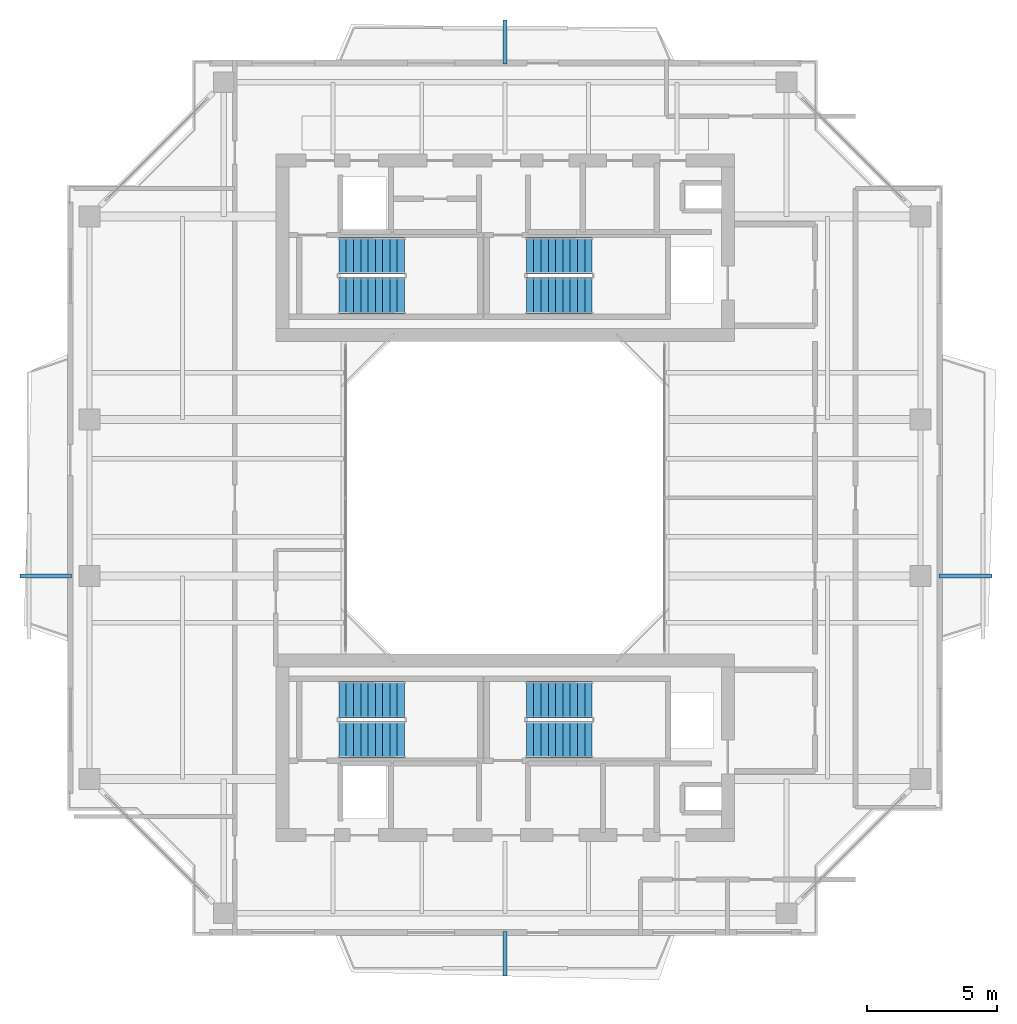
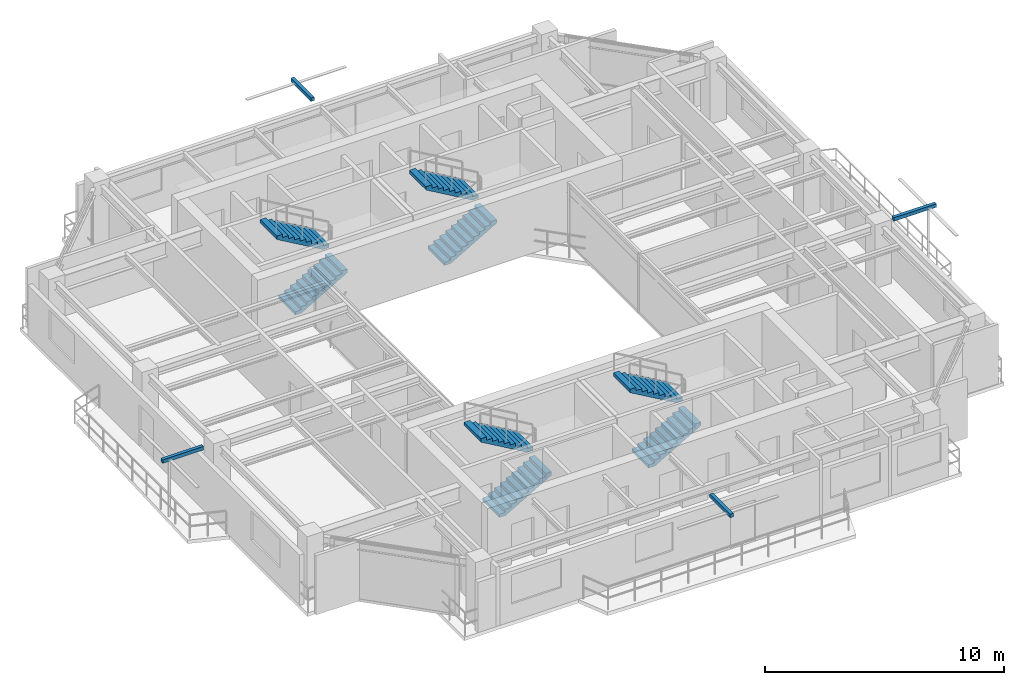
# One storey, part 13 of 16: 8 stair flights, 4 discrete accessories, 4 elements without a shape of their own.
"""IFC4 building model written with IfcOpenShell, lengths in metres."""

from ifc_helpers import new_model, si_unit, direction, frame, origin, origin_2d, place, context, subcontext, project, spatial, polyline, rectangle, outline, extrude, source, transform, mapped, material, type_object, element, aggregate, save


model = new_model("IFC4")

# Units and contexts
model_context = context("Model", 3, precision=1e-05, world=origin(), true_north=direction((0.0, 1.0)))
body_context = subcontext(model_context, "Body", "Model", "MODEL_VIEW")
ifc_project = project(units=[si_unit("LENGTHUNIT", "METRE"), si_unit("AREAUNIT", "SQUARE_METRE"), si_unit("VOLUMEUNIT", "CUBIC_METRE"), si_unit("PLANEANGLEUNIT", "RADIAN"), si_unit("MASSUNIT", "GRAM", prefix="KILO"), si_unit("THERMODYNAMICTEMPERATUREUNIT", "KELVIN"), si_unit("POWERUNIT", "WATT")], contexts=[model_context])

# Site, building, storey
site_placement = place(None, origin())
site = spatial("IfcSite", under=ifc_project, at=site_placement, CompositionType="ELEMENT")
building_placement = place(site_placement, origin())
building = spatial("IfcBuilding", under=site, at=building_placement, Name="Qiaomeng Ring Towers", CompositionType="ELEMENT")
storey_placement = place(building_placement, frame((0.0, 0.0, 229.5)))
storey = spatial("IfcBuildingStorey", under=building, at=storey_placement, Name="L67", CompositionType="ELEMENT", Elevation=229.5)

# Stair, stair flights
ifc_material_1 = material(Name="Precast concrete C40", Category="concrete")
stair_type = type_object("IfcStairType", Name="ARC-ST-325", PredefinedType="HALF_TURN_STAIR", material=ifc_material_1)
stair_1_placement = place(storey_placement, origin())
stair_1 = element("IfcStair", 1, at=stair_1_placement, inside=storey, type_object=stair_type, Name="L67 Tower 1 North Stair 1", PredefinedType="HALF_TURN_STAIR")
stair_flight_type = type_object("IfcStairFlightType", Name="ARC-ST-325-FL", PredefinedType="STRAIGHT", material=ifc_material_1)
shared_shape_1 = source(origin(), body_context, "Body", "SweptSolid", [
    extrude(outline(polyline([(0.0, 0.0), (0.0, 0.16259765625), (0.280029296875, 0.16259765625), (0.280029296875, 0.324951171875), (0.56005859375, 0.324951171875), (0.56005859375, 0.487548828125), (0.840087890625, 0.487548828125), (0.840087890625, 0.64990234375), (1.1201171875, 0.64990234375), (1.1201171875, 0.8125), (1.39990234375, 0.8125), (1.39990234375, 0.97509765625), (1.679931640625, 0.97509765625), (1.679931640625, 1.137451171875), (1.9599609375, 1.137451171875), (1.9599609375, 1.300048828125), (2.239990234375, 1.300048828125), (2.239990234375, 1.46240234375), (2.52001953125, 1.46240234375), (2.52001953125, 1.625), (2.52001953125, 1.2890625), (0.298583984375, 0.0), (0.0, 0.0)])), frame((0.0, 0.699951171875, 0.0), z_axis=(0.0, -1.0, 0.0), x_axis=(1.0, 0.0, 0.0)), (0.0, 0.0, 1.0), 1.39990234375),
])
stair_flight_1_placement = place(storey_placement, frame((12.6201171875, 30.75, 0.0), z_axis=(0.0, 0.0, 1.0), x_axis=(1.0, 0.0, 0.0)))
stair_flight_1 = element("IfcStairFlight", 2, at=stair_flight_1_placement, type_object=stair_flight_type, Name="ST1 flight 1", NumberOfRisers=10, NumberOfTreads=9, PredefinedType="STRAIGHT", RiserHeight=0.1625, TreadLength=0.28, context=body_context, shape_type="MappedRepresentation", body=[
    mapped(shared_shape_1, transform((0.0, 0.0, 0.0), x_axis=(1.0, 0.0, 0.0), y_axis=(0.0, 1.0, 0.0), z_axis=(0.0, 0.0, 1.0), scale=1.0)),
])
stair_flight_2_placement = place(storey_placement, frame((15.139892578125, 32.2900390625, 1.625), z_axis=(0.0, 0.0, 1.0), x_axis=(-1.0, 0.0, 0.0)))
stair_flight_2 = element("IfcStairFlight", 3, at=stair_flight_2_placement, type_object=stair_flight_type, Name="ST1 flight 2", NumberOfRisers=10, NumberOfTreads=9, PredefinedType="STRAIGHT", RiserHeight=0.1625, TreadLength=0.28, context=body_context, shape_type="MappedRepresentation", body=[
    mapped(shared_shape_1, transform((0.0, 0.0, 0.0), x_axis=(1.0, 0.0, 0.0), y_axis=(0.0, 1.0, 0.0), z_axis=(0.0, 0.0, 1.0), scale=1.0)),
])
aggregate(stair_1, [stair_flight_1, stair_flight_2])

stair_2_placement = place(storey_placement, origin())
stair_2 = element("IfcStair", 4, at=stair_2_placement, inside=storey, type_object=stair_type, Name="L67 Tower 1 North Stair 2", PredefinedType="HALF_TURN_STAIR")
stair_flight_3_placement = place(storey_placement, frame((19.820068359375, 30.75, 0.0), z_axis=(0.0, 0.0, 1.0), x_axis=(1.0, 0.0, 0.0)))
stair_flight_3 = element("IfcStairFlight", 5, at=stair_flight_3_placement, type_object=stair_flight_type, Name="ST2 flight 1", NumberOfRisers=10, NumberOfTreads=9, PredefinedType="STRAIGHT", RiserHeight=0.1625, TreadLength=0.28, context=body_context, shape_type="MappedRepresentation", body=[
    mapped(shared_shape_1, transform((0.0, 0.0, 0.0), x_axis=(1.0, 0.0, 0.0), y_axis=(0.0, 1.0, 0.0), z_axis=(0.0, 0.0, 1.0), scale=1.0)),
])
stair_flight_4_placement = place(storey_placement, frame((22.340087890625, 32.2900390625, 1.625), z_axis=(0.0, 0.0, 1.0), x_axis=(-1.0, 0.0, 0.0)))
stair_flight_4 = element("IfcStairFlight", 6, at=stair_flight_4_placement, type_object=stair_flight_type, Name="ST2 flight 2", NumberOfRisers=10, NumberOfTreads=9, PredefinedType="STRAIGHT", RiserHeight=0.1625, TreadLength=0.28, context=body_context, shape_type="MappedRepresentation", body=[
    mapped(shared_shape_1, transform((0.0, 0.0, 0.0), x_axis=(1.0, 0.0, 0.0), y_axis=(0.0, 1.0, 0.0), z_axis=(0.0, 0.0, 1.0), scale=1.0)),
])
aggregate(stair_2, [stair_flight_3, stair_flight_4])

stair_3_placement = place(storey_placement, origin())
stair_3 = element("IfcStair", 7, at=stair_3_placement, inside=storey, type_object=stair_type, Name="L67 Tower 1 South Stair 3", PredefinedType="HALF_TURN_STAIR")
stair_flight_5_placement = place(storey_placement, frame((12.6201171875, 13.7099609375, 0.0), z_axis=(0.0, 0.0, 1.0), x_axis=(1.0, 0.0, 0.0)))
stair_flight_5 = element("IfcStairFlight", 8, at=stair_flight_5_placement, type_object=stair_flight_type, Name="ST3 flight 1", NumberOfRisers=10, NumberOfTreads=9, PredefinedType="STRAIGHT", RiserHeight=0.1625, TreadLength=0.28, context=body_context, shape_type="MappedRepresentation", body=[
    mapped(shared_shape_1, transform((0.0, 0.0, 0.0), x_axis=(1.0, 0.0, 0.0), y_axis=(0.0, 1.0, 0.0), z_axis=(0.0, 0.0, 1.0), scale=1.0)),
])
stair_flight_6_placement = place(storey_placement, frame((15.139892578125, 15.25, 1.625), z_axis=(0.0, 0.0, 1.0), x_axis=(-1.0, 0.0, 0.0)))
stair_flight_6 = element("IfcStairFlight", 9, at=stair_flight_6_placement, type_object=stair_flight_type, Name="ST3 flight 2", NumberOfRisers=10, NumberOfTreads=9, PredefinedType="STRAIGHT", RiserHeight=0.1625, TreadLength=0.28, context=body_context, shape_type="MappedRepresentation", body=[
    mapped(shared_shape_1, transform((0.0, 0.0, 0.0), x_axis=(1.0, 0.0, 0.0), y_axis=(0.0, 1.0, 0.0), z_axis=(0.0, 0.0, 1.0), scale=1.0)),
])
aggregate(stair_3, [stair_flight_5, stair_flight_6])

stair_4_placement = place(storey_placement, origin())
stair_4 = element("IfcStair", 10, at=stair_4_placement, inside=storey, type_object=stair_type, Name="L67 Tower 1 South Stair 4", PredefinedType="HALF_TURN_STAIR")
stair_flight_7_placement = place(storey_placement, frame((19.820068359375, 13.7099609375, 0.0), z_axis=(0.0, 0.0, 1.0), x_axis=(1.0, 0.0, 0.0)))
stair_flight_7 = element("IfcStairFlight", 11, at=stair_flight_7_placement, type_object=stair_flight_type, Name="ST4 flight 1", NumberOfRisers=10, NumberOfTreads=9, PredefinedType="STRAIGHT", RiserHeight=0.1625, TreadLength=0.28, context=body_context, shape_type="MappedRepresentation", body=[
    mapped(shared_shape_1, transform((0.0, 0.0, 0.0), x_axis=(1.0, 0.0, 0.0), y_axis=(0.0, 1.0, 0.0), z_axis=(0.0, 0.0, 1.0), scale=1.0)),
])
stair_flight_8_placement = place(storey_placement, frame((22.340087890625, 15.25, 1.625), z_axis=(0.0, 0.0, 1.0), x_axis=(-1.0, 0.0, 0.0)))
stair_flight_8 = element("IfcStairFlight", 12, at=stair_flight_8_placement, type_object=stair_flight_type, Name="ST4 flight 2", NumberOfRisers=10, NumberOfTreads=9, PredefinedType="STRAIGHT", RiserHeight=0.1625, TreadLength=0.28, context=body_context, shape_type="MappedRepresentation", body=[
    mapped(shared_shape_1, transform((0.0, 0.0, 0.0), x_axis=(1.0, 0.0, 0.0), y_axis=(0.0, 1.0, 0.0), z_axis=(0.0, 0.0, 1.0), scale=1.0)),
])
aggregate(stair_4, [stair_flight_7, stair_flight_8])

# Discrete accessories
ifc_material_2 = material(Name="Stainless steel 316", Category="steel")
discrete_accessory_type = type_object("IfcDiscreteAccessoryType", Name="ARC-ACC-BRACKET", PredefinedType="BRACKET", material=ifc_material_2)
shared_shape_2 = source(origin(), body_context, "Body", "SweptSolid", [
    extrude(rectangle(XDim=2.050048828125, YDim=0.159912109375, at=origin_2d()), origin(), (0.0, 0.0, 1.0), 0.179931640625),
])
discrete_accessory_1_placement = place(storey_placement, frame((36.675048828125, 20.0, 2.85986328125), z_axis=(0.0, 0.0, 1.0), x_axis=(1.0, 0.0, 0.0)))
element("IfcDiscreteAccessory", 13, at=discrete_accessory_1_placement, inside=storey, type_object=discrete_accessory_type, Name="L67 Stainless Outer-Skin Tie Bracket E", PredefinedType="BRACKET", context=body_context, shape_type="MappedRepresentation", body=[
    mapped(shared_shape_2, transform((0.0, 0.0, 0.0), x_axis=(1.0, 0.0, 0.0), y_axis=(0.0, 1.0, 0.0), z_axis=(0.0, 0.0, 1.0), scale=1.0)),
])
shared_shape_3 = source(origin(), body_context, "Body", "SweptSolid", [
    extrude(rectangle(XDim=0.159912109375, YDim=1.7099609375, at=origin_2d()), origin(), (0.0, 0.0, 1.0), 0.179931640625),
])
discrete_accessory_2_placement = place(storey_placement, frame((19.0, 5.4951171875, 2.85986328125), z_axis=(0.0, 0.0, 1.0), x_axis=(1.0, 0.0, 0.0)))
element("IfcDiscreteAccessory", 14, at=discrete_accessory_2_placement, inside=storey, type_object=discrete_accessory_type, Name="L67 Stainless Outer-Skin Tie Bracket S", PredefinedType="BRACKET", context=body_context, shape_type="MappedRepresentation", body=[
    mapped(shared_shape_3, transform((0.0, 0.0, 0.0), x_axis=(1.0, 0.0, 0.0), y_axis=(0.0, 1.0, 0.0), z_axis=(0.0, 0.0, 1.0), scale=1.0)),
])
shared_shape_4 = source(origin(), body_context, "Body", "SweptSolid", [
    extrude(rectangle(XDim=0.159912109375, YDim=1.68994140625, at=origin_2d()), origin(), (0.0, 0.0, 1.0), 0.179931640625),
])
discrete_accessory_3_placement = place(storey_placement, frame((19.0, 40.4951171875, 2.85986328125), z_axis=(0.0, 0.0, 1.0), x_axis=(1.0, 0.0, 0.0)))
element("IfcDiscreteAccessory", 15, at=discrete_accessory_3_placement, inside=storey, type_object=discrete_accessory_type, Name="L67 Stainless Outer-Skin Tie Bracket N", PredefinedType="BRACKET", context=body_context, shape_type="MappedRepresentation", body=[
    mapped(shared_shape_4, transform((0.0, 0.0, 0.0), x_axis=(1.0, 0.0, 0.0), y_axis=(0.0, 1.0, 0.0), z_axis=(0.0, 0.0, 1.0), scale=1.0)),
])
shared_shape_5 = source(origin(), body_context, "Body", "SweptSolid", [
    extrude(rectangle(XDim=1.969970703125, YDim=0.159912109375, at=origin_2d()), origin(), (0.0, 0.0, 1.0), 0.179931640625),
])
discrete_accessory_4_placement = place(storey_placement, frame((1.364990234375, 20.0, 2.85986328125), z_axis=(0.0, 0.0, 1.0), x_axis=(1.0, 0.0, 0.0)))
element("IfcDiscreteAccessory", 16, at=discrete_accessory_4_placement, inside=storey, type_object=discrete_accessory_type, Name="L67 Stainless Outer-Skin Tie Bracket W", PredefinedType="BRACKET", context=body_context, shape_type="MappedRepresentation", body=[
    mapped(shared_shape_5, transform((0.0, 0.0, 0.0), x_axis=(1.0, 0.0, 0.0), y_axis=(0.0, 1.0, 0.0), z_axis=(0.0, 0.0, 1.0), scale=1.0)),
])

save(model, "model.ifc")
